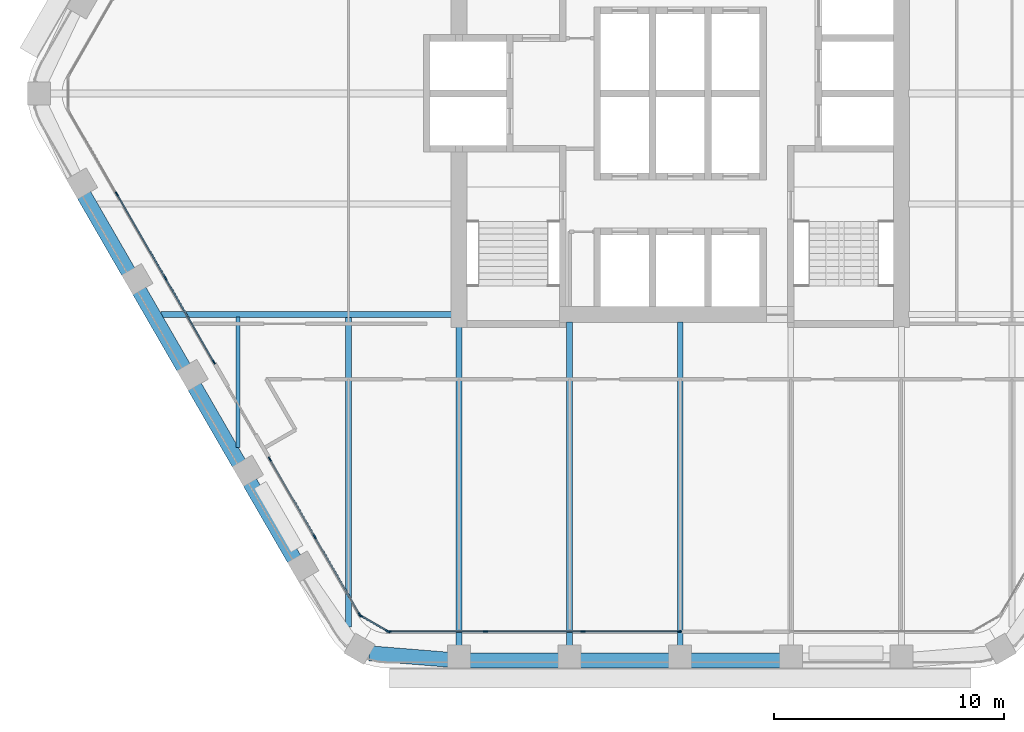
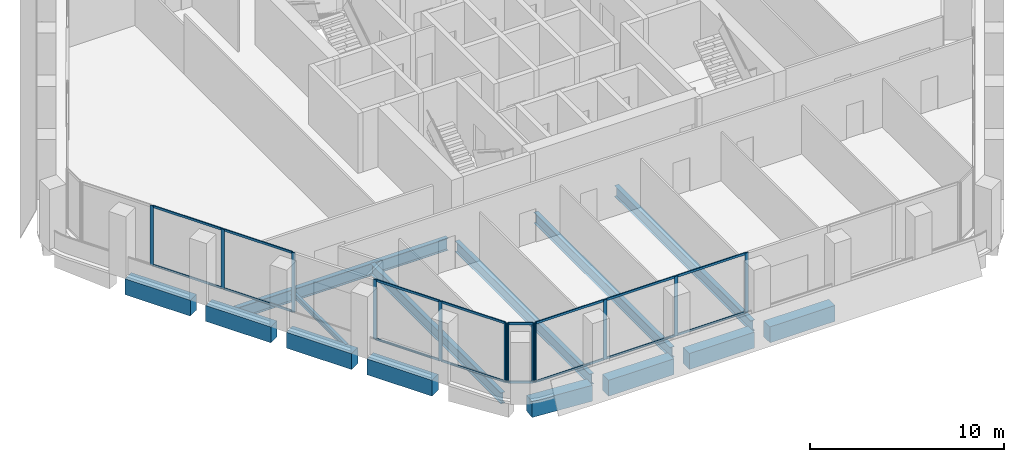
# One storey, part 2 of 15: 28 members, 14 beams, 4 elements without a shape of their own.
"""IFC4 building model written with IfcOpenShell, lengths in metres."""

from ifc_helpers import new_model, si_unit, direction, frame, origin, origin_2d, place, context, subcontext, project, spatial, rectangle, i_section, extrude, material, material_profile, profile_set, type_object, element, aggregate, save


model = new_model("IFC4")

# Units and contexts
model_context = context("Model", 3, precision=1e-05, world=origin(), true_north=direction((0.0, 1.0)))
body_context = subcontext(model_context, "Body", "Model", "MODEL_VIEW")
ifc_project = project(units=[si_unit("LENGTHUNIT", "METRE"), si_unit("AREAUNIT", "SQUARE_METRE"), si_unit("VOLUMEUNIT", "CUBIC_METRE"), si_unit("PLANEANGLEUNIT", "RADIAN"), si_unit("MASSUNIT", "GRAM", prefix="KILO")], contexts=[model_context])

# Site, building, storey
site_placement = place(None, origin())
site = spatial("IfcSite", under=ifc_project, at=site_placement, CompositionType="ELEMENT")
building_placement = place(site_placement, origin())
building = spatial("IfcBuilding", under=site, at=building_placement, Name="Kolab Exchange Tower", CompositionType="ELEMENT")
storey_placement = place(building_placement, frame((0.0, 0.0, 189.5)))
storey = spatial("IfcBuildingStorey", under=building, at=storey_placement, Name="L40", CompositionType="ELEMENT", Elevation=189.5)

# Beams
ifc_material_1 = material(Name="Steel S355", Category="steel")
ifc_material_profile_1 = material_profile(ifc_material_1, i_section(OverallWidth=0.1650390625, OverallDepth=0.31005859375, WebThickness=0.005859375, FlangeThickness=0.009765625, at=origin_2d()), Name="W310X39")
ifc_profile_set_1 = profile_set([ifc_material_profile_1], Name="Steel S355")
beam_type_1 = type_object("IfcBeamType", Name="FLOOR BEAM W310X39", PredefinedType="BEAM", material=ifc_profile_set_1)
beam_1_placement = place(storey_placement, frame((-19.199951171875, -15.36767578125, -0.304931640625), z_axis=(0.0, 1.0, 0.0), x_axis=(-1.0, 0.0, 0.0)))
element("IfcBeam", 1, at=beam_1_placement, inside=storey, type_object=beam_type_1, Name="beam/L40/fr/003", PredefinedType="BEAM", context=body_context, shape_type="SweptSolid", body=[
    extrude(i_section(OverallWidth=0.1650390625, OverallDepth=0.31005859375, WebThickness=0.005859375, FlangeThickness=0.009765625, at=origin_2d()), origin(), (0.0, 0.0, 1.0), 5.674072265625),
])
ifc_material_profile_2 = material_profile(ifc_material_1, i_section(OverallWidth=0.25390625, OverallDepth=0.68408203125, WebThickness=0.012451171875, FlangeThickness=0.018798828125, at=origin_2d()), Name="W690X140")
ifc_profile_set_2 = profile_set([ifc_material_profile_2], Name="Steel S355")
beam_type_2 = type_object("IfcBeamType", Name="FLOOR BEAM W690X140", PredefinedType="BEAM", material=ifc_profile_set_2)
beam_2_placement = place(storey_placement, frame((-14.39990234375, -23.15576171875, -0.491943359375), z_axis=(0.0, 1.0, 0.0), x_axis=(-1.0, 0.0, 0.0)))
element("IfcBeam", 2, at=beam_2_placement, inside=storey, type_object=beam_type_2, Name="beam/L40/fr/005", PredefinedType="BEAM", context=body_context, shape_type="SweptSolid", body=[
    extrude(i_section(OverallWidth=0.25390625, OverallDepth=0.68408203125, WebThickness=0.012451171875, FlangeThickness=0.018798828125, at=origin_2d()), origin(), (0.0, 0.0, 1.0), 13.462158203125),
])
beam_3_placement = place(storey_placement, frame((-9.60009765625, -23.9814453125, -0.491943359375), z_axis=(0.0, 1.0, 0.0), x_axis=(-1.0, 0.0, 0.0)))
element("IfcBeam", 3, at=beam_3_placement, inside=storey, type_object=beam_type_2, Name="beam/L40/fr/007", PredefinedType="BEAM", context=body_context, shape_type="SweptSolid", body=[
    extrude(i_section(OverallWidth=0.25390625, OverallDepth=0.68408203125, WebThickness=0.012451171875, FlangeThickness=0.018798828125, at=origin_2d()), origin(), (0.0, 0.0, 1.0), 13.871337890625),
])
for number, where, z_axis, x_axis, name in (
    (4, (-4.800048828125, -23.9814453125, -0.491943359375), (0.0, 1.0, 0.0), (-1.0, 0.0, 0.0), "beam/L40/fr/009"),
    (5, (0.0, -23.9814453125, -0.491943359375), (0.0, 1.0, 0.0), (-1.0, 0.0, 0.0), "beam/L40/fr/011"),
):
    element("IfcBeam", number, at=place(storey_placement, frame(where, z_axis=z_axis, x_axis=x_axis)), inside=storey, type_object=beam_type_2, Name=name, PredefinedType="BEAM", context=body_context, shape_type="SweptSolid", body=[
        extrude(i_section(OverallWidth=0.25390625, OverallDepth=0.68408203125, WebThickness=0.012451171875, FlangeThickness=0.018798828125, at=origin_2d()), origin(), (0.0, 0.0, 1.0), 14.071533203125),
    ])
ifc_material_profile_3 = material_profile(ifc_material_1, i_section(OverallWidth=0.26708984375, OverallDepth=0.761962890625, WebThickness=0.014404296875, FlangeThickness=0.021484375, at=origin_2d()), Name="W760X173")
ifc_profile_set_3 = profile_set([ifc_material_profile_3], Name="Steel S355")
beam_type_3 = type_object("IfcBeamType", Name="FLOOR GIRDER W760X173", PredefinedType="BEAM", material=ifc_profile_set_3)
beam_4_placement = place(storey_placement, frame((-22.546875, -9.60009765625, -0.531005859375), z_axis=(1.0, 0.0, 0.0), x_axis=(0.0, 1.0, 0.0)))
element("IfcBeam", 6, at=beam_4_placement, inside=storey, type_object=beam_type_3, Name="beam/L40/gd/000", PredefinedType="BEAM", context=body_context, shape_type="SweptSolid", body=[
    extrude(i_section(OverallWidth=0.26708984375, OverallDepth=0.761962890625, WebThickness=0.014404296875, FlangeThickness=0.021484375, at=origin_2d()), origin(), (0.0, 0.0, 1.0), 12.636962890625),
])
ifc_material_2 = material(Name="Concrete C60/75", Category="concrete")
ifc_material_profile_4 = material_profile(ifc_material_2, rectangle(XDim=0.64990234375, YDim=1.0, at=origin_2d()), Name="RC650X1000")
ifc_profile_set_4 = profile_set([ifc_material_profile_4], Name="Concrete C60/75")
beam_type_4 = type_object("IfcBeamType", Name="SPANDREL BEAM 650X1000 C60/75", PredefinedType="BEAM", material=ifc_profile_set_4)
for number, where, z_axis, x_axis, name in (
    (7, (4.340087890625, -24.616455078125, -0.64990234375), (-1.0, 0.0, 0.0), (0.0, -1.0, 0.0), "beam/L40/sp/F4-03"),
    (8, (-0.4599609375, -24.616455078125, -0.64990234375), (-1.0, 0.0, 0.0), (0.0, -1.0, 0.0), "beam/L40/sp/F4-04"),
):
    element("IfcBeam", number, at=place(storey_placement, frame(where, z_axis=z_axis, x_axis=x_axis)), inside=storey, type_object=beam_type_4, Name=name, PredefinedType="BEAM", context=body_context, shape_type="SweptSolid", body=[
        extrude(rectangle(XDim=0.64990234375, YDim=1.0, at=origin_2d()), origin(), (0.0, 0.0, 1.0), 3.880126953125),
    ])
beam_5_placement = place(storey_placement, frame((-5.260009765625, -24.616455078125, -0.64990234375), z_axis=(-1.0, 0.0, 0.0), x_axis=(0.0, -1.0, 0.0)))
element("IfcBeam", 9, at=beam_5_placement, inside=storey, type_object=beam_type_4, Name="beam/L40/sp/F4-05", PredefinedType="BEAM", context=body_context, shape_type="SweptSolid", body=[
    extrude(rectangle(XDim=0.64990234375, YDim=1.0, at=origin_2d()), origin(), (0.0, 0.0, 1.0), 3.8798828125),
])
beam_6_placement = place(storey_placement, frame((-10.06005859375, -24.5791015625, -0.64990234375), z_axis=(-0.996708497182, 0.081068931445, 0.0), x_axis=(-0.081068931445, -0.996708497182, 0.0)))
element("IfcBeam", 10, at=beam_6_placement, inside=storey, type_object=beam_type_4, Name="beam/L40/sp/F4-06", PredefinedType="BEAM", context=body_context, shape_type="SweptSolid", body=[
    extrude(rectangle(XDim=0.64990234375, YDim=1.0, at=origin_2d()), origin(), (0.0, 0.0, 1.0), 3.445068359375),
])
beam_7_placement = place(storey_placement, frame((-16.74853515625, -20.2236328125, -0.64990234375), z_axis=(-0.499996613652, 0.866027358884, 0.0), x_axis=(-0.866027358884, -0.499996613652, 0.0)))
element("IfcBeam", 11, at=beam_7_placement, inside=storey, type_object=beam_type_4, Name="beam/L40/sp/F5-02", PredefinedType="BEAM", context=body_context, shape_type="SweptSolid", body=[
    extrude(rectangle(XDim=0.64990234375, YDim=1.0, at=origin_2d()), origin(), (0.0, 0.0, 1.0), 3.8798828125),
])
beam_8_placement = place(storey_placement, frame((-19.1484375, -16.06689453125, -0.64990234375), z_axis=(-0.50001655835, 0.866015843605, 0.0), x_axis=(-0.866015843605, -0.50001655835, 0.0)))
element("IfcBeam", 12, at=beam_8_placement, inside=storey, type_object=beam_type_4, Name="beam/L40/sp/F5-03", PredefinedType="BEAM", context=body_context, shape_type="SweptSolid", body=[
    extrude(rectangle(XDim=0.64990234375, YDim=1.0, at=origin_2d()), origin(), (0.0, 0.0, 1.0), 3.880126953125),
])
for number, where, z_axis, x_axis, name in (
    (13, (-21.548583984375, -11.909912109375, -0.64990234375), (-0.499996613652, 0.866027358884, 0.0), (-0.866027358884, -0.499996613652, 0.0), "beam/L40/sp/F5-04"),
    (14, (-23.948486328125, -7.7529296875, -0.64990234375), (-0.499996613652, 0.866027358884, 0.0), (-0.866027358884, -0.499996613652, 0.0), "beam/L40/sp/F5-05"),
):
    element("IfcBeam", number, at=place(storey_placement, frame(where, z_axis=z_axis, x_axis=x_axis)), inside=storey, type_object=beam_type_4, Name=name, PredefinedType="BEAM", context=body_context, shape_type="SweptSolid", body=[
        extrude(rectangle(XDim=0.64990234375, YDim=1.0, at=origin_2d()), origin(), (0.0, 0.0, 1.0), 3.8798828125),
    ])

# Curtain wall, members
ifc_material_3 = material(Name="Aluminium EN AW-6063 T6", Category="aluminium")
curtain_wall_type = type_object("IfcCurtainWallType", Name="UNITISED UPPER MID ZONE CURTAIN WALL", PredefinedType="NOTDEFINED", material=ifc_material_3)
curtain_wall_1_placement = place(storey_placement, origin())
curtain_wall_1 = element("IfcCurtainWall", 15, at=curtain_wall_1_placement, inside=storey, type_object=curtain_wall_type, Name="cw/L40/F4-2", PredefinedType="NOTDEFINED")
ifc_material_profile_5 = material_profile(ifc_material_3, rectangle(XDim=0.06005859375, YDim=0.199951171875, at=origin_2d()), Name="RECT 60X200")
ifc_profile_set_5 = profile_set([ifc_material_profile_5], Name="Aluminium EN AW-6063 T6")
member_type_1 = type_object("IfcMemberType", Name="UNITISED UPPER MID ZONE MULLION 60 X 200", PredefinedType="MULLION", material=ifc_profile_set_5)
member_1_placement = place(storey_placement, frame((-0.030029296875, -23.361572265625, 0.0), z_axis=(0.0, 0.0, 1.0), x_axis=(0.0, -1.0, 0.0)))
member_1 = element("IfcMember", 16, at=member_1_placement, type_object=member_type_1, Name="CW3 mullion 1", PredefinedType="MULLION", context=body_context, shape_type="SweptSolid", body=[
    extrude(rectangle(XDim=0.06005859375, YDim=0.199951171875, at=origin_2d()), origin(), (0.0, 0.0, 1.0), 3.75),
])
member_2_placement = place(storey_placement, frame((-4.22265625, -23.361572265625, 0.0), z_axis=(0.0, 0.0, 1.0), x_axis=(0.0, -1.0, 0.0)))
member_2 = element("IfcMember", 17, at=member_2_placement, type_object=member_type_1, Name="CW3 mullion 2", PredefinedType="MULLION", context=body_context, shape_type="SweptSolid", body=[
    extrude(rectangle(XDim=0.06005859375, YDim=0.199951171875, at=origin_2d()), origin(), (0.0, 0.0, 1.0), 3.75),
])
member_3_placement = place(storey_placement, frame((-8.4453125, -23.361572265625, 0.0), z_axis=(0.0, 0.0, 1.0), x_axis=(0.0, -1.0, 0.0)))
member_3 = element("IfcMember", 18, at=member_3_placement, type_object=member_type_1, Name="CW3 mullion 3", PredefinedType="MULLION", context=body_context, shape_type="SweptSolid", body=[
    extrude(rectangle(XDim=0.06005859375, YDim=0.199951171875, at=origin_2d()), origin(), (0.0, 0.0, 1.0), 3.75),
])
member_4_placement = place(storey_placement, frame((-12.637939453125, -23.361572265625, 0.0), z_axis=(0.0, 0.0, 1.0), x_axis=(0.0, -1.0, 0.0)))
member_4 = element("IfcMember", 19, at=member_4_placement, type_object=member_type_1, Name="CW3 mullion 4", PredefinedType="MULLION", context=body_context, shape_type="SweptSolid", body=[
    extrude(rectangle(XDim=0.06005859375, YDim=0.199951171875, at=origin_2d()), origin(), (0.0, 0.0, 1.0), 3.75),
])

curtain_wall_2_placement = place(storey_placement, origin())
curtain_wall_2 = element("IfcCurtainWall", 20, at=curtain_wall_2_placement, inside=storey, type_object=curtain_wall_type, Name="cw/L40/F5-1", PredefinedType="NOTDEFINED")
member_5_placement = place(storey_placement, frame((-13.91259765625, -22.62548828125, 0.0), z_axis=(0.0, 0.0, 1.0), x_axis=(-0.866025385493, -0.500000031681, 0.0)))
member_5 = element("IfcMember", 21, at=member_5_placement, type_object=member_type_1, Name="CW3 mullion 1", PredefinedType="MULLION", context=body_context, shape_type="SweptSolid", body=[
    extrude(rectangle(XDim=0.06005859375, YDim=0.199951171875, at=origin_2d()), origin(), (0.0, 0.0, 1.0), 3.75),
])
member_6_placement = place(storey_placement, frame((-15.86474609375, -19.24462890625, 0.0), z_axis=(0.0, 0.0, 1.0), x_axis=(-0.866025385493, -0.500000031681, 0.0)))
member_6 = element("IfcMember", 22, at=member_6_placement, type_object=member_type_1, Name="CW3 mullion 2", PredefinedType="MULLION", context=body_context, shape_type="SweptSolid", body=[
    extrude(rectangle(XDim=0.06005859375, YDim=0.199951171875, at=origin_2d()), origin(), (0.0, 0.0, 1.0), 3.75),
])
member_7_placement = place(storey_placement, frame((-17.816650390625, -15.86376953125, 0.0), z_axis=(0.0, 0.0, 1.0), x_axis=(-0.866025385493, -0.500000031681, 0.0)))
member_7 = element("IfcMember", 23, at=member_7_placement, type_object=member_type_1, Name="CW3 mullion 3", PredefinedType="MULLION", context=body_context, shape_type="SweptSolid", body=[
    extrude(rectangle(XDim=0.06005859375, YDim=0.199951171875, at=origin_2d()), origin(), (0.0, 0.0, 1.0), 3.75),
])

curtain_wall_3_placement = place(storey_placement, origin())
curtain_wall_3 = element("IfcCurtainWall", 24, at=curtain_wall_3_placement, inside=storey, type_object=curtain_wall_type, Name="cw/L40/F5-2", PredefinedType="NOTDEFINED")
member_8_placement = place(storey_placement, frame((-20.24658203125, -11.65478515625, 0.0), z_axis=(0.0, 0.0, 1.0), x_axis=(-0.866025427826, -0.499999958358, 0.0)))
member_8 = element("IfcMember", 25, at=member_8_placement, type_object=member_type_1, Name="CW3 mullion 1", PredefinedType="MULLION", context=body_context, shape_type="SweptSolid", body=[
    extrude(rectangle(XDim=0.06005859375, YDim=0.199951171875, at=origin_2d()), origin(), (0.0, 0.0, 1.0), 3.75),
])
member_9_placement = place(storey_placement, frame((-22.343017578125, -8.02392578125, 0.0), z_axis=(0.0, 0.0, 1.0), x_axis=(-0.866025427826, -0.499999958358, 0.0)))
member_9 = element("IfcMember", 26, at=member_9_placement, type_object=member_type_1, Name="CW3 mullion 2", PredefinedType="MULLION", context=body_context, shape_type="SweptSolid", body=[
    extrude(rectangle(XDim=0.06005859375, YDim=0.199951171875, at=origin_2d()), origin(), (0.0, 0.0, 1.0), 3.75),
])
member_10_placement = place(storey_placement, frame((-24.454345703125, -4.366943359375, 0.0), z_axis=(0.0, 0.0, 1.0), x_axis=(-0.866025427826, -0.499999958358, 0.0)))
member_10 = element("IfcMember", 27, at=member_10_placement, type_object=member_type_1, Name="CW3 mullion 3", PredefinedType="MULLION", context=body_context, shape_type="SweptSolid", body=[
    extrude(rectangle(XDim=0.06005859375, YDim=0.199951171875, at=origin_2d()), origin(), (0.0, 0.0, 1.0), 3.75),
])

curtain_wall_4_placement = place(storey_placement, origin())
curtain_wall_4 = element("IfcCurtainWall", 28, at=curtain_wall_4_placement, inside=storey, type_object=curtain_wall_type, Name="cw/L40/F4F5-corner", PredefinedType="NOTDEFINED")
member_11_placement = place(storey_placement, frame((-12.69384765625, -23.346435546875, 0.0), z_axis=(0.0, 0.0, 1.0), x_axis=(-0.50000002237, -0.866025390869, 0.0)))
member_11 = element("IfcMember", 29, at=member_11_placement, type_object=member_type_1, Name="CW3 mullion 1", PredefinedType="MULLION", context=body_context, shape_type="SweptSolid", body=[
    extrude(rectangle(XDim=0.06005859375, YDim=0.199951171875, at=origin_2d()), origin(), (0.0, 0.0, 1.0), 3.75),
])
member_12_placement = place(storey_placement, frame((-13.871826171875, -22.66650390625, 0.0), z_axis=(0.0, 0.0, 1.0), x_axis=(-0.50000002237, -0.866025390869, 0.0)))
member_12 = element("IfcMember", 30, at=member_12_placement, type_object=member_type_1, Name="CW3 mullion 2", PredefinedType="MULLION", context=body_context, shape_type="SweptSolid", body=[
    extrude(rectangle(XDim=0.06005859375, YDim=0.199951171875, at=origin_2d()), origin(), (0.0, 0.0, 1.0), 3.75),
])

# Member
ifc_material_profile_6 = material_profile(ifc_material_3, rectangle(XDim=0.06005859375, YDim=0.139892578125, at=origin_2d()), Name="RECT 60X140")
ifc_profile_set_6 = profile_set([ifc_material_profile_6], Name="Aluminium EN AW-6063 T6")
member_type_2 = type_object("IfcMemberType", Name="UNITISED UPPER MID ZONE TRANSOM 60 X 140", PredefinedType="USERDEFINED", material=ifc_profile_set_6)
member_13_placement = place(storey_placement, frame((-0.06005859375, -23.361572265625, 0.030029296875), z_axis=(-1.0, 0.0, 0.0), x_axis=(0.0, -1.0, 0.0)))
member_13 = element("IfcMember", 31, at=member_13_placement, type_object=member_type_2, Name="CW3 transom 1.1", ObjectType="TRANSOM", PredefinedType="USERDEFINED", context=body_context, shape_type="SweptSolid", body=[
    extrude(rectangle(XDim=0.06005859375, YDim=0.139892578125, at=origin_2d()), origin(), (0.0, 0.0, 1.0), 4.132568359375),
])

member_14_placement = place(storey_placement, frame((-0.06005859375, -23.361572265625, 3.719970703125), z_axis=(-1.0, 0.0, 0.0), x_axis=(0.0, -1.0, 0.0)))
member_14 = element("IfcMember", 32, at=member_14_placement, type_object=member_type_2, Name="CW3 transom 1.2", ObjectType="TRANSOM", PredefinedType="USERDEFINED", context=body_context, shape_type="SweptSolid", body=[
    extrude(rectangle(XDim=0.06005859375, YDim=0.139892578125, at=origin_2d()), origin(), (0.0, 0.0, 1.0), 4.132568359375),
])

member_15_placement = place(storey_placement, frame((-4.252685546875, -23.361572265625, 0.030029296875), z_axis=(-1.0, 0.0, 0.0), x_axis=(0.0, -1.0, 0.0)))
member_15 = element("IfcMember", 33, at=member_15_placement, type_object=member_type_2, Name="CW3 transom 2.1", ObjectType="TRANSOM", PredefinedType="USERDEFINED", context=body_context, shape_type="SweptSolid", body=[
    extrude(rectangle(XDim=0.06005859375, YDim=0.139892578125, at=origin_2d()), origin(), (0.0, 0.0, 1.0), 4.16259765625),
])

member_16_placement = place(storey_placement, frame((-4.252685546875, -23.361572265625, 3.719970703125), z_axis=(-1.0, 0.0, 0.0), x_axis=(0.0, -1.0, 0.0)))
member_16 = element("IfcMember", 34, at=member_16_placement, type_object=member_type_2, Name="CW3 transom 2.2", ObjectType="TRANSOM", PredefinedType="USERDEFINED", context=body_context, shape_type="SweptSolid", body=[
    extrude(rectangle(XDim=0.06005859375, YDim=0.139892578125, at=origin_2d()), origin(), (0.0, 0.0, 1.0), 4.16259765625),
])

member_17_placement = place(storey_placement, frame((-8.475341796875, -23.361572265625, 0.030029296875), z_axis=(-1.0, 0.0, 0.0), x_axis=(0.0, -1.0, 0.0)))
member_17 = element("IfcMember", 35, at=member_17_placement, type_object=member_type_2, Name="CW3 transom 3.1", ObjectType="TRANSOM", PredefinedType="USERDEFINED", context=body_context, shape_type="SweptSolid", body=[
    extrude(rectangle(XDim=0.06005859375, YDim=0.139892578125, at=origin_2d()), origin(), (0.0, 0.0, 1.0), 4.132568359375),
])

member_18_placement = place(storey_placement, frame((-8.475341796875, -23.361572265625, 3.719970703125), z_axis=(-1.0, 0.0, 0.0), x_axis=(0.0, -1.0, 0.0)))
member_18 = element("IfcMember", 36, at=member_18_placement, type_object=member_type_2, Name="CW3 transom 3.2", ObjectType="TRANSOM", PredefinedType="USERDEFINED", context=body_context, shape_type="SweptSolid", body=[
    extrude(rectangle(XDim=0.06005859375, YDim=0.139892578125, at=origin_2d()), origin(), (0.0, 0.0, 1.0), 4.132568359375),
])

aggregate(curtain_wall_1, [member_1, member_2, member_3, member_4, member_13, member_14, member_15, member_16, member_17, member_18])

member_19_placement = place(storey_placement, frame((-13.927734375, -22.599609375, 0.030029296875), z_axis=(-0.499964356602, 0.866045981532, 0.0), x_axis=(-0.866045981532, -0.499964356602, 0.0)))
member_19 = element("IfcMember", 37, at=member_19_placement, type_object=member_type_2, Name="CW3 transom 1.1", ObjectType="TRANSOM", PredefinedType="USERDEFINED", context=body_context, shape_type="SweptSolid", body=[
    extrude(rectangle(XDim=0.06005859375, YDim=0.139892578125, at=origin_2d()), origin(), (0.0, 0.0, 1.0), 3.843994140625),
])

member_20_placement = place(storey_placement, frame((-13.927734375, -22.599609375, 3.719970703125), z_axis=(-0.499964356602, 0.866045981532, 0.0), x_axis=(-0.866045981532, -0.499964356602, 0.0)))
member_20 = element("IfcMember", 38, at=member_20_placement, type_object=member_type_2, Name="CW3 transom 1.2", ObjectType="TRANSOM", PredefinedType="USERDEFINED", context=body_context, shape_type="SweptSolid", body=[
    extrude(rectangle(XDim=0.06005859375, YDim=0.139892578125, at=origin_2d()), origin(), (0.0, 0.0, 1.0), 3.843994140625),
])

member_21_placement = place(storey_placement, frame((-15.879638671875, -19.21875, 0.030029296875), z_axis=(-0.500011990396, 0.866018481016, 0.0), x_axis=(-0.866018481016, -0.500011990396, 0.0)))
member_21 = element("IfcMember", 39, at=member_21_placement, type_object=member_type_2, Name="CW3 transom 2.1", ObjectType="TRANSOM", PredefinedType="USERDEFINED", context=body_context, shape_type="SweptSolid", body=[
    extrude(rectangle(XDim=0.06005859375, YDim=0.139892578125, at=origin_2d()), origin(), (0.0, 0.0, 1.0), 3.84423828125),
])

member_22_placement = place(storey_placement, frame((-15.879638671875, -19.21875, 3.719970703125), z_axis=(-0.500011990396, 0.866018481016, 0.0), x_axis=(-0.866018481016, -0.500011990396, 0.0)))
member_22 = element("IfcMember", 40, at=member_22_placement, type_object=member_type_2, Name="CW3 transom 2.2", ObjectType="TRANSOM", PredefinedType="USERDEFINED", context=body_context, shape_type="SweptSolid", body=[
    extrude(rectangle(XDim=0.06005859375, YDim=0.139892578125, at=origin_2d()), origin(), (0.0, 0.0, 1.0), 3.84423828125),
])

aggregate(curtain_wall_2, [member_5, member_6, member_7, member_19, member_20, member_21, member_22])

member_23_placement = place(storey_placement, frame((-20.26171875, -11.62890625, 0.030029296875), z_axis=(-0.500001996123, 0.866024251319, 0.0), x_axis=(-0.866024251319, -0.500001996123, 0.0)))
member_23 = element("IfcMember", 41, at=member_23_placement, type_object=member_type_2, Name="CW3 transom 1.1", ObjectType="TRANSOM", PredefinedType="USERDEFINED", context=body_context, shape_type="SweptSolid", body=[
    extrude(rectangle(XDim=0.06005859375, YDim=0.139892578125, at=origin_2d()), origin(), (0.0, 0.0, 1.0), 4.1328125),
])

member_24_placement = place(storey_placement, frame((-20.26171875, -11.62890625, 3.719970703125), z_axis=(-0.500001996123, 0.866024251319, 0.0), x_axis=(-0.866024251319, -0.500001996123, 0.0)))
member_24 = element("IfcMember", 42, at=member_24_placement, type_object=member_type_2, Name="CW3 transom 1.2", ObjectType="TRANSOM", PredefinedType="USERDEFINED", context=body_context, shape_type="SweptSolid", body=[
    extrude(rectangle(XDim=0.06005859375, YDim=0.139892578125, at=origin_2d()), origin(), (0.0, 0.0, 1.0), 4.1328125),
])

member_25_placement = place(storey_placement, frame((-22.35791015625, -7.997802734375, 0.030029296875), z_axis=(-0.49999322259, 0.866029316688, 0.0), x_axis=(-0.866029316688, -0.49999322259, 0.0)))
member_25 = element("IfcMember", 43, at=member_25_placement, type_object=member_type_2, Name="CW3 transom 2.1", ObjectType="TRANSOM", PredefinedType="USERDEFINED", context=body_context, shape_type="SweptSolid", body=[
    extrude(rectangle(XDim=0.06005859375, YDim=0.139892578125, at=origin_2d()), origin(), (0.0, 0.0, 1.0), 4.16259765625),
])

member_26_placement = place(storey_placement, frame((-22.35791015625, -7.997802734375, 3.719970703125), z_axis=(-0.49999322259, 0.866029316688, 0.0), x_axis=(-0.866029316688, -0.49999322259, 0.0)))
member_26 = element("IfcMember", 44, at=member_26_placement, type_object=member_type_2, Name="CW3 transom 2.2", ObjectType="TRANSOM", PredefinedType="USERDEFINED", context=body_context, shape_type="SweptSolid", body=[
    extrude(rectangle(XDim=0.06005859375, YDim=0.139892578125, at=origin_2d()), origin(), (0.0, 0.0, 1.0), 4.16259765625),
])

aggregate(curtain_wall_3, [member_8, member_9, member_10, member_23, member_24, member_25, member_26])

member_27_placement = place(storey_placement, frame((-12.719970703125, -23.33154296875, 0.030029296875), z_axis=(-0.86603858612, 0.49997716683, 0.0), x_axis=(-0.49997716683, -0.86603858612, 0.0)))
member_27 = element("IfcMember", 45, at=member_27_placement, type_object=member_type_2, Name="CW3 transom 1.1", ObjectType="TRANSOM", PredefinedType="USERDEFINED", context=body_context, shape_type="SweptSolid", body=[
    extrude(rectangle(XDim=0.06005859375, YDim=0.139892578125, at=origin_2d()), origin(), (0.0, 0.0, 1.0), 1.2998046875),
])

member_28_placement = place(storey_placement, frame((-12.719970703125, -23.33154296875, 3.719970703125), z_axis=(-0.86603858612, 0.49997716683, 0.0), x_axis=(-0.49997716683, -0.86603858612, 0.0)))
member_28 = element("IfcMember", 46, at=member_28_placement, type_object=member_type_2, Name="CW3 transom 1.2", ObjectType="TRANSOM", PredefinedType="USERDEFINED", context=body_context, shape_type="SweptSolid", body=[
    extrude(rectangle(XDim=0.06005859375, YDim=0.139892578125, at=origin_2d()), origin(), (0.0, 0.0, 1.0), 1.2998046875),
])

aggregate(curtain_wall_4, [member_11, member_12, member_27, member_28])

save(model, "model.ifc")
